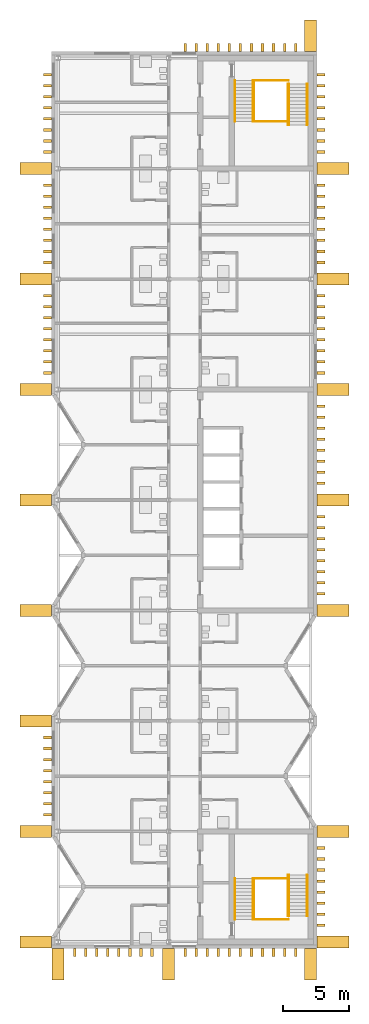
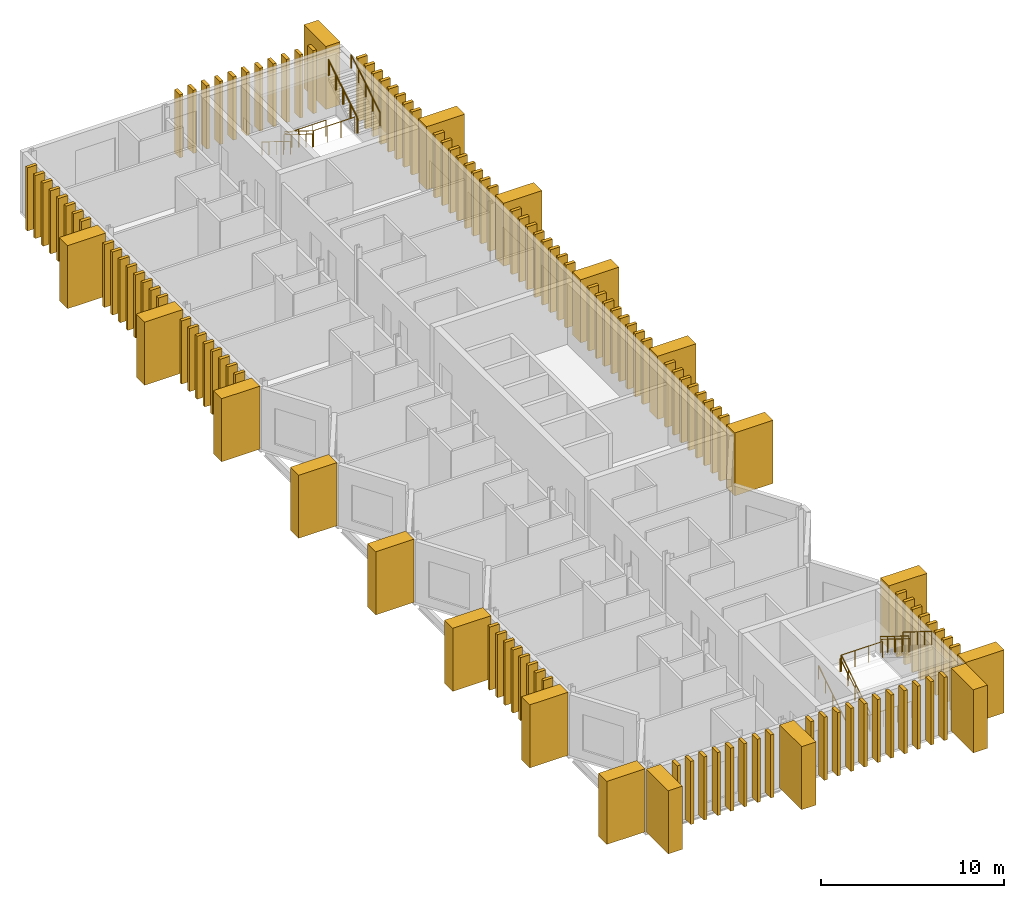
# One storey, part 10 of 11: 129 coverings, 16 railings.
"""IFC4 building model written with IfcOpenShell, lengths in metres."""

from ifc_helpers import new_model, si_unit, direction, frame, origin, origin_2d, place, context, subcontext, project, spatial, rectangle, circle, extrude, material, type_object, element, save


model = new_model("IFC4")

# Units and contexts
model_context = context("Model", 3, precision=1e-05, world=origin(), true_north=direction((0.0, 1.0)))
body_context = subcontext(model_context, "Body", "Model", "MODEL_VIEW")
ifc_project = project(units=[si_unit("LENGTHUNIT", "METRE"), si_unit("AREAUNIT", "SQUARE_METRE"), si_unit("VOLUMEUNIT", "CUBIC_METRE"), si_unit("PLANEANGLEUNIT", "RADIAN"), si_unit("MASSUNIT", "GRAM", prefix="KILO")], contexts=[model_context])

# Site, building, storey
site_placement = place(None, origin())
site = spatial("IfcSite", under=ifc_project, at=site_placement, CompositionType="ELEMENT")
building_placement = place(site_placement, origin())
building = spatial("IfcBuilding", under=site, at=building_placement, Name="Cresset Court Congress Hotel", CompositionType="ELEMENT")
storey_placement = place(building_placement, frame((0.0, 0.0, 52.199951171875)))
storey = spatial("IfcBuildingStorey", under=building, at=storey_placement, Name="L12", CompositionType="ELEMENT", Elevation=52.199951171875)

# Coverings
ifc_material_1 = material(Name="Precast concrete C50", Category="concrete")
covering_type_1 = type_object("IfcCoveringType", Name="Precast stone fin 200x600", PredefinedType="CLADDING", material=ifc_material_1)
for number, where, z_axis, x_axis, name in (
    (1, (177.199951171875, 1.260009765625, 0.0), (0.0, 0.0, 1.0), (1.0, 0.0, 0.0), "Fin E002"),
    (2, (177.199951171875, 2.10009765625, 0.0), (0.0, 0.0, 1.0), (1.0, 0.0, 0.0), "Fin E003"),
    (3, (177.199951171875, 2.93994140625, 0.0), (0.0, 0.0, 1.0), (1.0, 0.0, 0.0), "Fin E004"),
    (4, (177.199951171875, 3.780029296875, 0.0), (0.0, 0.0, 1.0), (1.0, 0.0, 0.0), "Fin E005"),
    (5, (177.199951171875, 4.6201171875, 0.0), (0.0, 0.0, 1.0), (1.0, 0.0, 0.0), "Fin E006"),
    (6, (177.199951171875, 5.4599609375, 0.0), (0.0, 0.0, 1.0), (1.0, 0.0, 0.0), "Fin E007"),
    (7, (177.199951171875, 6.300048828125, 0.0), (0.0, 0.0, 1.0), (1.0, 0.0, 0.0), "Fin E008"),
    (8, (177.199951171875, 7.139892578125, 0.0), (0.0, 0.0, 1.0), (1.0, 0.0, 0.0), "Fin E009"),
    (9, (177.199951171875, 26.4599609375, 0.0), (0.0, 0.0, 1.0), (1.0, 0.0, 0.0), "Fin E032"),
    (10, (177.199951171875, 27.300048828125, 0.0), (0.0, 0.0, 1.0), (1.0, 0.0, 0.0), "Fin E033"),
    (11, (177.199951171875, 28.139892578125, 0.0), (0.0, 0.0, 1.0), (1.0, 0.0, 0.0), "Fin E034"),
    (12, (177.199951171875, 28.97998046875, 0.0), (0.0, 0.0, 1.0), (1.0, 0.0, 0.0), "Fin E035"),
    (13, (177.199951171875, 29.820068359375, 0.0), (0.0, 0.0, 1.0), (1.0, 0.0, 0.0), "Fin E036"),
    (14, (177.199951171875, 30.659912109375, 0.0), (0.0, 0.0, 1.0), (1.0, 0.0, 0.0), "Fin E037"),
    (15, (177.199951171875, 31.5, 0.0), (0.0, 0.0, 1.0), (1.0, 0.0, 0.0), "Fin E038"),
    (16, (177.199951171875, 32.340087890625, 0.0), (0.0, 0.0, 1.0), (1.0, 0.0, 0.0), "Fin E039"),
    (17, (177.199951171875, 34.860107421875, 0.0), (0.0, 0.0, 1.0), (1.0, 0.0, 0.0), "Fin E042"),
    (18, (177.199951171875, 35.699951171875, 0.0), (0.0, 0.0, 1.0), (1.0, 0.0, 0.0), "Fin E043"),
    (19, (177.199951171875, 36.5400390625, 0.0), (0.0, 0.0, 1.0), (1.0, 0.0, 0.0), "Fin E044"),
    (20, (177.199951171875, 37.3798828125, 0.0), (0.0, 0.0, 1.0), (1.0, 0.0, 0.0), "Fin E045"),
    (21, (177.199951171875, 38.219970703125, 0.0), (0.0, 0.0, 1.0), (1.0, 0.0, 0.0), "Fin E046"),
    (22, (177.199951171875, 39.06005859375, 0.0), (0.0, 0.0, 1.0), (1.0, 0.0, 0.0), "Fin E047"),
    (23, (177.199951171875, 39.89990234375, 0.0), (0.0, 0.0, 1.0), (1.0, 0.0, 0.0), "Fin E048"),
    (24, (177.199951171875, 40.739990234375, 0.0), (0.0, 0.0, 1.0), (1.0, 0.0, 0.0), "Fin E049"),
    (25, (177.199951171875, 43.260009765625, 0.0), (0.0, 0.0, 1.0), (1.0, 0.0, 0.0), "Fin E052"),
    (26, (177.199951171875, 44.10009765625, 0.0), (0.0, 0.0, 1.0), (1.0, 0.0, 0.0), "Fin E053"),
    (27, (177.199951171875, 44.93994140625, 0.0), (0.0, 0.0, 1.0), (1.0, 0.0, 0.0), "Fin E054"),
    (28, (177.199951171875, 45.780029296875, 0.0), (0.0, 0.0, 1.0), (1.0, 0.0, 0.0), "Fin E055"),
    (29, (177.199951171875, 46.6201171875, 0.0), (0.0, 0.0, 1.0), (1.0, 0.0, 0.0), "Fin E056"),
    (30, (177.199951171875, 47.4599609375, 0.0), (0.0, 0.0, 1.0), (1.0, 0.0, 0.0), "Fin E057"),
    (31, (177.199951171875, 48.300048828125, 0.0), (0.0, 0.0, 1.0), (1.0, 0.0, 0.0), "Fin E058"),
    (32, (177.199951171875, 49.139892578125, 0.0), (0.0, 0.0, 1.0), (1.0, 0.0, 0.0), "Fin E059"),
    (33, (177.199951171875, 51.659912109375, 0.0), (0.0, 0.0, 1.0), (1.0, 0.0, 0.0), "Fin E062"),
    (34, (177.199951171875, 52.5, 0.0), (0.0, 0.0, 1.0), (1.0, 0.0, 0.0), "Fin E063"),
    (35, (177.199951171875, 53.340087890625, 0.0), (0.0, 0.0, 1.0), (1.0, 0.0, 0.0), "Fin E064"),
    (36, (177.199951171875, 54.179931640625, 0.0), (0.0, 0.0, 1.0), (1.0, 0.0, 0.0), "Fin E065"),
    (37, (177.199951171875, 55.02001953125, 0.0), (0.0, 0.0, 1.0), (1.0, 0.0, 0.0), "Fin E066"),
    (38, (177.199951171875, 55.860107421875, 0.0), (0.0, 0.0, 1.0), (1.0, 0.0, 0.0), "Fin E067"),
    (39, (177.199951171875, 56.699951171875, 0.0), (0.0, 0.0, 1.0), (1.0, 0.0, 0.0), "Fin E068"),
    (40, (177.199951171875, 57.5400390625, 0.0), (0.0, 0.0, 1.0), (1.0, 0.0, 0.0), "Fin E069"),
    (41, (177.199951171875, 60.06005859375, 0.0), (0.0, 0.0, 1.0), (1.0, 0.0, 0.0), "Fin E072"),
    (42, (177.199951171875, 60.89990234375, 0.0), (0.0, 0.0, 1.0), (1.0, 0.0, 0.0), "Fin E073"),
    (43, (177.199951171875, 61.739990234375, 0.0), (0.0, 0.0, 1.0), (1.0, 0.0, 0.0), "Fin E074"),
    (44, (177.199951171875, 62.580078125, 0.0), (0.0, 0.0, 1.0), (1.0, 0.0, 0.0), "Fin E075"),
    (45, (177.199951171875, 63.419921875, 0.0), (0.0, 0.0, 1.0), (1.0, 0.0, 0.0), "Fin E076"),
    (46, (177.199951171875, 64.260009765625, 0.0), (0.0, 0.0, 1.0), (1.0, 0.0, 0.0), "Fin E077"),
    (47, (177.199951171875, 65.10009765625, 0.0), (0.0, 0.0, 1.0), (1.0, 0.0, 0.0), "Fin E078"),
    (48, (177.199951171875, 65.93994140625, 0.0), (0.0, 0.0, 1.0), (1.0, 0.0, 0.0), "Fin E079"),
    (49, (156.39990234375, 9.659912109375, 0.0), (0.0, 0.0, 1.0), (1.0, 0.0, 0.0), "Fin W012"),
    (50, (156.39990234375, 10.5, 0.0), (0.0, 0.0, 1.0), (1.0, 0.0, 0.0), "Fin W013"),
    (51, (156.39990234375, 11.340087890625, 0.0), (0.0, 0.0, 1.0), (1.0, 0.0, 0.0), "Fin W014"),
    (52, (156.39990234375, 12.179931640625, 0.0), (0.0, 0.0, 1.0), (1.0, 0.0, 0.0), "Fin W015"),
    (53, (156.39990234375, 13.02001953125, 0.0), (0.0, 0.0, 1.0), (1.0, 0.0, 0.0), "Fin W016"),
    (54, (156.39990234375, 13.860107421875, 0.0), (0.0, 0.0, 1.0), (1.0, 0.0, 0.0), "Fin W017"),
    (55, (156.39990234375, 14.699951171875, 0.0), (0.0, 0.0, 1.0), (1.0, 0.0, 0.0), "Fin W018"),
    (56, (156.39990234375, 15.5400390625, 0.0), (0.0, 0.0, 1.0), (1.0, 0.0, 0.0), "Fin W019"),
    (57, (156.39990234375, 43.260009765625, 0.0), (0.0, 0.0, 1.0), (1.0, 0.0, 0.0), "Fin W052"),
    (58, (156.39990234375, 44.10009765625, 0.0), (0.0, 0.0, 1.0), (1.0, 0.0, 0.0), "Fin W053"),
    (59, (156.39990234375, 44.93994140625, 0.0), (0.0, 0.0, 1.0), (1.0, 0.0, 0.0), "Fin W054"),
    (60, (156.39990234375, 45.780029296875, 0.0), (0.0, 0.0, 1.0), (1.0, 0.0, 0.0), "Fin W055"),
    (61, (156.39990234375, 46.6201171875, 0.0), (0.0, 0.0, 1.0), (1.0, 0.0, 0.0), "Fin W056"),
    (62, (156.39990234375, 47.4599609375, 0.0), (0.0, 0.0, 1.0), (1.0, 0.0, 0.0), "Fin W057"),
    (63, (156.39990234375, 48.300048828125, 0.0), (0.0, 0.0, 1.0), (1.0, 0.0, 0.0), "Fin W058"),
    (64, (156.39990234375, 49.139892578125, 0.0), (0.0, 0.0, 1.0), (1.0, 0.0, 0.0), "Fin W059"),
    (65, (156.39990234375, 51.659912109375, 0.0), (0.0, 0.0, 1.0), (1.0, 0.0, 0.0), "Fin W062"),
    (66, (156.39990234375, 52.5, 0.0), (0.0, 0.0, 1.0), (1.0, 0.0, 0.0), "Fin W063"),
    (67, (156.39990234375, 53.340087890625, 0.0), (0.0, 0.0, 1.0), (1.0, 0.0, 0.0), "Fin W064"),
    (68, (156.39990234375, 54.179931640625, 0.0), (0.0, 0.0, 1.0), (1.0, 0.0, 0.0), "Fin W065"),
    (69, (156.39990234375, 55.02001953125, 0.0), (0.0, 0.0, 1.0), (1.0, 0.0, 0.0), "Fin W066"),
    (70, (156.39990234375, 55.860107421875, 0.0), (0.0, 0.0, 1.0), (1.0, 0.0, 0.0), "Fin W067"),
    (71, (156.39990234375, 56.699951171875, 0.0), (0.0, 0.0, 1.0), (1.0, 0.0, 0.0), "Fin W068"),
    (72, (156.39990234375, 57.5400390625, 0.0), (0.0, 0.0, 1.0), (1.0, 0.0, 0.0), "Fin W069"),
    (73, (156.39990234375, 60.06005859375, 0.0), (0.0, 0.0, 1.0), (1.0, 0.0, 0.0), "Fin W072"),
    (74, (156.39990234375, 60.89990234375, 0.0), (0.0, 0.0, 1.0), (1.0, 0.0, 0.0), "Fin W073"),
    (75, (156.39990234375, 61.739990234375, 0.0), (0.0, 0.0, 1.0), (1.0, 0.0, 0.0), "Fin W074"),
    (76, (156.39990234375, 62.580078125, 0.0), (0.0, 0.0, 1.0), (1.0, 0.0, 0.0), "Fin W075"),
    (77, (156.39990234375, 63.419921875, 0.0), (0.0, 0.0, 1.0), (1.0, 0.0, 0.0), "Fin W076"),
    (78, (156.39990234375, 64.260009765625, 0.0), (0.0, 0.0, 1.0), (1.0, 0.0, 0.0), "Fin W077"),
    (79, (156.39990234375, 65.10009765625, 0.0), (0.0, 0.0, 1.0), (1.0, 0.0, 0.0), "Fin W078"),
    (80, (156.39990234375, 65.93994140625, 0.0), (0.0, 0.0, 1.0), (1.0, 0.0, 0.0), "Fin W079"),
):
    element("IfcCovering", number, at=place(storey_placement, frame(where, z_axis=z_axis, x_axis=x_axis)), inside=storey, type_object=covering_type_1, Name=name, PredefinedType="CLADDING", context=body_context, shape_type="SweptSolid", body=[
        extrude(rectangle(XDim=0.60009765625, YDim=0.199951171875, at=origin_2d()), origin(), (0.0, 0.0, 1.0), 4.199951171875),
    ])
for number, where, z_axis, x_axis, name in (
    (81, (158.4599609375, -0.800048828125, 0.0), (0.0, 0.0, 1.0), (1.0, 0.0, 0.0), "Fin S002"),
    (82, (159.300048828125, -0.800048828125, 0.0), (0.0, 0.0, 1.0), (1.0, 0.0, 0.0), "Fin S003"),
    (83, (160.139892578125, -0.800048828125, 0.0), (0.0, 0.0, 1.0), (1.0, 0.0, 0.0), "Fin S004"),
    (84, (160.97998046875, -0.800048828125, 0.0), (0.0, 0.0, 1.0), (1.0, 0.0, 0.0), "Fin S005"),
    (85, (161.820068359375, -0.800048828125, 0.0), (0.0, 0.0, 1.0), (1.0, 0.0, 0.0), "Fin S006"),
    (86, (162.659912109375, -0.800048828125, 0.0), (0.0, 0.0, 1.0), (1.0, 0.0, 0.0), "Fin S007"),
    (87, (163.5, -0.800048828125, 0.0), (0.0, 0.0, 1.0), (1.0, 0.0, 0.0), "Fin S008"),
    (88, (164.340087890625, -0.800048828125, 0.0), (0.0, 0.0, 1.0), (1.0, 0.0, 0.0), "Fin S009"),
    (89, (166.860107421875, -0.800048828125, 0.0), (0.0, 0.0, 1.0), (1.0, 0.0, 0.0), "Fin S012"),
    (90, (167.699951171875, -0.800048828125, 0.0), (0.0, 0.0, 1.0), (1.0, 0.0, 0.0), "Fin S013"),
    (91, (168.5400390625, -0.800048828125, 0.0), (0.0, 0.0, 1.0), (1.0, 0.0, 0.0), "Fin S014"),
    (92, (169.3798828125, -0.800048828125, 0.0), (0.0, 0.0, 1.0), (1.0, 0.0, 0.0), "Fin S015"),
    (93, (170.219970703125, -0.800048828125, 0.0), (0.0, 0.0, 1.0), (1.0, 0.0, 0.0), "Fin S016"),
    (94, (171.06005859375, -0.800048828125, 0.0), (0.0, 0.0, 1.0), (1.0, 0.0, 0.0), "Fin S017"),
    (95, (171.89990234375, -0.800048828125, 0.0), (0.0, 0.0, 1.0), (1.0, 0.0, 0.0), "Fin S018"),
    (96, (172.739990234375, -0.800048828125, 0.0), (0.0, 0.0, 1.0), (1.0, 0.0, 0.0), "Fin S019"),
    (97, (173.580078125, -0.800048828125, 0.0), (0.0, 0.0, 1.0), (1.0, 0.0, 0.0), "Fin S020"),
    (98, (174.419921875, -0.800048828125, 0.0), (0.0, 0.0, 1.0), (1.0, 0.0, 0.0), "Fin S021"),
    (99, (175.260009765625, -0.800048828125, 0.0), (0.0, 0.0, 1.0), (1.0, 0.0, 0.0), "Fin S022"),
    (100, (166.860107421875, 68.0, 0.0), (0.0, 0.0, 1.0), (1.0, 0.0, 0.0), "Fin N012"),
    (101, (167.699951171875, 68.0, 0.0), (0.0, 0.0, 1.0), (1.0, 0.0, 0.0), "Fin N013"),
    (102, (168.5400390625, 68.0, 0.0), (0.0, 0.0, 1.0), (1.0, 0.0, 0.0), "Fin N014"),
    (103, (169.3798828125, 68.0, 0.0), (0.0, 0.0, 1.0), (1.0, 0.0, 0.0), "Fin N015"),
    (104, (170.219970703125, 68.0, 0.0), (0.0, 0.0, 1.0), (1.0, 0.0, 0.0), "Fin N016"),
    (105, (171.06005859375, 68.0, 0.0), (0.0, 0.0, 1.0), (1.0, 0.0, 0.0), "Fin N017"),
    (106, (171.89990234375, 68.0, 0.0), (0.0, 0.0, 1.0), (1.0, 0.0, 0.0), "Fin N018"),
    (107, (172.739990234375, 68.0, 0.0), (0.0, 0.0, 1.0), (1.0, 0.0, 0.0), "Fin N019"),
    (108, (173.580078125, 68.0, 0.0), (0.0, 0.0, 1.0), (1.0, 0.0, 0.0), "Fin N020"),
    (109, (174.419921875, 68.0, 0.0), (0.0, 0.0, 1.0), (1.0, 0.0, 0.0), "Fin N021"),
    (110, (175.260009765625, 68.0, 0.0), (0.0, 0.0, 1.0), (1.0, 0.0, 0.0), "Fin N022"),
):
    element("IfcCovering", number, at=place(storey_placement, frame(where, z_axis=z_axis, x_axis=x_axis)), inside=storey, type_object=covering_type_1, Name=name, PredefinedType="CLADDING", context=body_context, shape_type="SweptSolid", body=[
        extrude(rectangle(XDim=0.199951171875, YDim=0.60009765625, at=origin_2d()), origin(), (0.0, 0.0, 1.0), 4.199951171875),
    ])
ifc_material_2 = material(Name="Precast concrete C50", Category="concrete")
covering_type_2 = type_object("IfcCoveringType", Name="Precast stone pier 900x2400", PredefinedType="CLADDING", material=ifc_material_2)
for number, where, z_axis, x_axis, name in (
    (111, (178.10009765625, 0.0, 0.0), (0.0, 0.0, 1.0), (1.0, 0.0, 0.0), "Pier E01"),
    (112, (178.10009765625, 8.39990234375, 0.0), (0.0, 0.0, 1.0), (1.0, 0.0, 0.0), "Pier E02"),
    (113, (178.10009765625, 25.199951171875, 0.0), (0.0, 0.0, 1.0), (1.0, 0.0, 0.0), "Pier E03"),
    (114, (178.10009765625, 33.60009765625, 0.0), (0.0, 0.0, 1.0), (1.0, 0.0, 0.0), "Pier E04"),
    (115, (178.10009765625, 42.0, 0.0), (0.0, 0.0, 1.0), (1.0, 0.0, 0.0), "Pier E05"),
    (116, (178.10009765625, 50.39990234375, 0.0), (0.0, 0.0, 1.0), (1.0, 0.0, 0.0), "Pier E06"),
    (117, (178.10009765625, 58.800048828125, 0.0), (0.0, 0.0, 1.0), (1.0, 0.0, 0.0), "Pier E07"),
    (118, (155.5, 0.0, 0.0), (0.0, 0.0, 1.0), (1.0, 0.0, 0.0), "Pier W01"),
    (119, (155.5, 8.39990234375, 0.0), (0.0, 0.0, 1.0), (1.0, 0.0, 0.0), "Pier W02"),
    (120, (155.5, 16.800048828125, 0.0), (0.0, 0.0, 1.0), (1.0, 0.0, 0.0), "Pier W03"),
    (121, (155.5, 25.199951171875, 0.0), (0.0, 0.0, 1.0), (1.0, 0.0, 0.0), "Pier W04"),
    (122, (155.5, 33.60009765625, 0.0), (0.0, 0.0, 1.0), (1.0, 0.0, 0.0), "Pier W05"),
    (123, (155.5, 42.0, 0.0), (0.0, 0.0, 1.0), (1.0, 0.0, 0.0), "Pier W06"),
    (124, (155.5, 50.39990234375, 0.0), (0.0, 0.0, 1.0), (1.0, 0.0, 0.0), "Pier W07"),
    (125, (155.5, 58.800048828125, 0.0), (0.0, 0.0, 1.0), (1.0, 0.0, 0.0), "Pier W08"),
):
    element("IfcCovering", number, at=place(storey_placement, frame(where, z_axis=z_axis, x_axis=x_axis)), inside=storey, type_object=covering_type_2, Name=name, PredefinedType="CLADDING", context=body_context, shape_type="SweptSolid", body=[
        extrude(rectangle(XDim=2.39990234375, YDim=0.89990234375, at=origin_2d()), origin(), (0.0, 0.0, 1.0), 4.199951171875),
    ])
for number, where, z_axis, x_axis, name in (
    (126, (157.199951171875, -1.699951171875, 0.0), (0.0, 0.0, 1.0), (1.0, 0.0, 0.0), "Pier S01"),
    (127, (165.60009765625, -1.699951171875, 0.0), (0.0, 0.0, 1.0), (1.0, 0.0, 0.0), "Pier S02"),
    (128, (176.39990234375, -1.699951171875, 0.0), (0.0, 0.0, 1.0), (1.0, 0.0, 0.0), "Pier S03"),
    (129, (176.39990234375, 68.89990234375, 0.0), (0.0, 0.0, 1.0), (1.0, 0.0, 0.0), "Pier N03"),
):
    element("IfcCovering", number, at=place(storey_placement, frame(where, z_axis=z_axis, x_axis=x_axis)), inside=storey, type_object=covering_type_2, Name=name, PredefinedType="CLADDING", context=body_context, shape_type="SweptSolid", body=[
        extrude(rectangle(XDim=0.89990234375, YDim=2.39990234375, at=origin_2d()), origin(), (0.0, 0.0, 1.0), 4.199951171875),
    ])

# Railings
ifc_material_3 = material(Name="Stainless steel", Category="steel")
railing_type_1 = type_object("IfcRailingType", Name="Stair guard 1100", PredefinedType="GUARDRAIL", material=ifc_material_3)
railing_1_placement = place(storey_placement, frame((172.10009765625, 1.699951171875, 0.16162109375)))
element("IfcRailing", 130, at=railing_1_placement, inside=storey, type_object=railing_type_1, Name="Guard A1 L12", PredefinedType="GUARDRAIL", context=body_context, shape_type="SweptSolid", body=[
    extrude(circle(Radius=0.02392578125, at=origin_2d()), frame((0.0, 0.0, 1.076171875), z_axis=(0.0, 0.849414166554, 0.527726798313), x_axis=(-1.0, 0.0, 0.0)), (0.0, 0.0, 1.0), 3.67333984375),
    extrude(circle(Radius=0.02099609375, at=origin_2d()), origin(), (0.0, 0.0, 1.0), 1.052001953125),
    extrude(circle(Radius=0.02099609375, at=origin_2d()), frame((0.0, 0.780029296875, 0.484619140625)), (0.0, 0.0, 1.0), 1.052001953125),
    extrude(circle(Radius=0.02099609375, at=origin_2d()), frame((0.0, 1.56005859375, 0.96923828125)), (0.0, 0.0, 1.0), 1.052001953125),
    extrude(circle(Radius=0.02099609375, at=origin_2d()), frame((0.0, 2.340087890625, 1.453857421875)), (0.0, 0.0, 1.0), 1.052001953125),
    extrude(circle(Radius=0.02099609375, at=origin_2d()), frame((0.0, 3.1201171875, 1.9384765625)), (0.0, 0.0, 1.0), 1.052001953125),
])
railing_2_placement = place(storey_placement, frame((174.699951171875, 5.080078125, 2.261474609375)))
element("IfcRailing", 131, at=railing_2_placement, inside=storey, type_object=railing_type_1, Name="Guard A1 L12", PredefinedType="GUARDRAIL", context=body_context, shape_type="SweptSolid", body=[
    extrude(circle(Radius=0.02392578125, at=origin_2d()), frame((0.0, 0.0, 1.076171875), z_axis=(0.0, -0.849414166554, 0.527726798313), x_axis=(1.0, 0.0, 0.0)), (0.0, 0.0, 1.0), 3.67333984375),
    extrude(circle(Radius=0.02099609375, at=origin_2d()), origin(), (0.0, 0.0, 1.0), 1.052001953125),
    extrude(circle(Radius=0.02099609375, at=origin_2d()), frame((0.0, -0.780029296875, 0.484619140625)), (0.0, 0.0, 1.0), 1.052001953125),
    extrude(circle(Radius=0.02099609375, at=origin_2d()), frame((0.0, -1.56005859375, 0.96923828125)), (0.0, 0.0, 1.0), 1.052001953125),
    extrude(circle(Radius=0.02099609375, at=origin_2d()), frame((0.0, -2.340087890625, 1.453857421875)), (0.0, 0.0, 1.0), 1.052001953125),
    extrude(circle(Radius=0.02099609375, at=origin_2d()), frame((0.0, -3.1201171875, 1.9384765625)), (0.0, 0.0, 1.0), 1.052001953125),
])
for number, where, name in (
    (132, (172.10009765625, 1.699951171875, 0.0), "Guard A1 L12"),
    (133, (172.10009765625, 4.820068359375, 2.10009765625), "Guard A1 L12"),
):
    element("IfcRailing", number, at=place(storey_placement, frame(where)), inside=storey, type_object=railing_type_1, Name=name, PredefinedType="GUARDRAIL", context=body_context, shape_type="SweptSolid", body=[
        extrude(circle(Radius=0.02392578125, at=origin_2d()), frame((0.0, 0.0, 1.076171875), z_axis=(1.0, 0.0, 0.0), x_axis=(0.0, 1.0, 0.0)), (0.0, 0.0, 1.0), 2.599853515625),
        extrude(circle(Radius=0.02099609375, at=origin_2d()), origin(), (0.0, 0.0, 1.0), 1.052001953125),
        extrude(circle(Radius=0.02099609375, at=origin_2d()), frame((0.86669921875, 0.0, 0.0)), (0.0, 0.0, 1.0), 1.052001953125),
        extrude(circle(Radius=0.02099609375, at=origin_2d()), frame((1.733154296875, 0.0, 0.0)), (0.0, 0.0, 1.0), 1.052001953125),
        extrude(circle(Radius=0.02099609375, at=origin_2d()), frame((2.599853515625, 0.0, 0.0)), (0.0, 0.0, 1.0), 1.052001953125),
    ])
railing_3_placement = place(storey_placement, frame((172.10009765625, 65.5, 0.16162109375)))
element("IfcRailing", 134, at=railing_3_placement, inside=storey, type_object=railing_type_1, Name="Guard A2 L12", PredefinedType="GUARDRAIL", context=body_context, shape_type="SweptSolid", body=[
    extrude(circle(Radius=0.02392578125, at=origin_2d()), frame((0.0, 0.0, 1.076171875), z_axis=(0.0, -0.849414166554, 0.527726798313), x_axis=(1.0, 0.0, 0.0)), (0.0, 0.0, 1.0), 3.67333984375),
    extrude(circle(Radius=0.02099609375, at=origin_2d()), origin(), (0.0, 0.0, 1.0), 1.052001953125),
    extrude(circle(Radius=0.02099609375, at=origin_2d()), frame((0.0, -0.780029296875, 0.484619140625)), (0.0, 0.0, 1.0), 1.052001953125),
    extrude(circle(Radius=0.02099609375, at=origin_2d()), frame((0.0, -1.56005859375, 0.96923828125)), (0.0, 0.0, 1.0), 1.052001953125),
    extrude(circle(Radius=0.02099609375, at=origin_2d()), frame((0.0, -2.340087890625, 1.453857421875)), (0.0, 0.0, 1.0), 1.052001953125),
    extrude(circle(Radius=0.02099609375, at=origin_2d()), frame((0.0, -3.1201171875, 1.9384765625)), (0.0, 0.0, 1.0), 1.052001953125),
])
railing_4_placement = place(storey_placement, frame((174.699951171875, 62.1201171875, 2.261474609375)))
element("IfcRailing", 135, at=railing_4_placement, inside=storey, type_object=railing_type_1, Name="Guard A2 L12", PredefinedType="GUARDRAIL", context=body_context, shape_type="SweptSolid", body=[
    extrude(circle(Radius=0.02392578125, at=origin_2d()), frame((0.0, 0.0, 1.076171875), z_axis=(0.0, 0.849395654964, 0.52775659288), x_axis=(-1.0, 0.0, 0.0)), (0.0, 0.0, 1.0), 3.673095703125),
    extrude(circle(Radius=0.02099609375, at=origin_2d()), origin(), (0.0, 0.0, 1.0), 1.052001953125),
    extrude(circle(Radius=0.02099609375, at=origin_2d()), frame((0.0, 0.780029296875, 0.484619140625)), (0.0, 0.0, 1.0), 1.052001953125),
    extrude(circle(Radius=0.02099609375, at=origin_2d()), frame((0.0, 1.56005859375, 0.96923828125)), (0.0, 0.0, 1.0), 1.052001953125),
    extrude(circle(Radius=0.02099609375, at=origin_2d()), frame((0.0, 2.33984375, 1.453857421875)), (0.0, 0.0, 1.0), 1.052001953125),
    extrude(circle(Radius=0.02099609375, at=origin_2d()), frame((0.0, 3.119873046875, 1.9384765625)), (0.0, 0.0, 1.0), 1.052001953125),
])
for number, where, name in (
    (136, (172.10009765625, 65.5, 0.0), "Guard A2 L12"),
    (137, (172.10009765625, 62.3798828125, 2.10009765625), "Guard A2 L12"),
):
    element("IfcRailing", number, at=place(storey_placement, frame(where)), inside=storey, type_object=railing_type_1, Name=name, PredefinedType="GUARDRAIL", context=body_context, shape_type="SweptSolid", body=[
        extrude(circle(Radius=0.02392578125, at=origin_2d()), frame((0.0, 0.0, 1.076171875), z_axis=(1.0, 0.0, 0.0), x_axis=(0.0, 1.0, 0.0)), (0.0, 0.0, 1.0), 2.599853515625),
        extrude(circle(Radius=0.02099609375, at=origin_2d()), origin(), (0.0, 0.0, 1.0), 1.052001953125),
        extrude(circle(Radius=0.02099609375, at=origin_2d()), frame((0.86669921875, 0.0, 0.0)), (0.0, 0.0, 1.0), 1.052001953125),
        extrude(circle(Radius=0.02099609375, at=origin_2d()), frame((1.733154296875, 0.0, 0.0)), (0.0, 0.0, 1.0), 1.052001953125),
        extrude(circle(Radius=0.02099609375, at=origin_2d()), frame((2.599853515625, 0.0, 0.0)), (0.0, 0.0, 1.0), 1.052001953125),
    ])
ifc_material_4 = material(Name="Stainless steel", Category="steel")
railing_type_2 = type_object("IfcRailingType", Name="Stair handrail 900", PredefinedType="HANDRAIL", material=ifc_material_4)
for number, where, name in (
    (138, (170.659912109375, 1.699951171875, 0.16162109375), "Handrail A1 L12"),
    (139, (172.0400390625, 1.699951171875, 0.16162109375), "Handrail A1 L12"),
):
    element("IfcRailing", number, at=place(storey_placement, frame(where)), inside=storey, type_object=railing_type_2, Name=name, PredefinedType="HANDRAIL", context=body_context, shape_type="SweptSolid", body=[
        extrude(circle(Radius=0.02392578125, at=origin_2d()), frame((0.0, 0.0, 0.8759765625), z_axis=(0.0, 0.849414166554, 0.527726798313), x_axis=(-1.0, 0.0, 0.0)), (0.0, 0.0, 1.0), 3.67333984375),
        extrude(circle(Radius=0.02099609375, at=origin_2d()), origin(), (0.0, 0.0, 1.0), 0.851806640625),
        extrude(circle(Radius=0.02099609375, at=origin_2d()), frame((0.0, 0.780029296875, 0.484619140625)), (0.0, 0.0, 1.0), 0.851806640625),
        extrude(circle(Radius=0.02099609375, at=origin_2d()), frame((0.0, 1.56005859375, 0.96923828125)), (0.0, 0.0, 1.0), 0.851806640625),
        extrude(circle(Radius=0.02099609375, at=origin_2d()), frame((0.0, 2.340087890625, 1.453857421875)), (0.0, 0.0, 1.0), 0.851806640625),
        extrude(circle(Radius=0.02099609375, at=origin_2d()), frame((0.0, 3.1201171875, 1.9384765625)), (0.0, 0.0, 1.0), 0.851806640625),
    ])
for number, where, name in (
    (140, (174.760009765625, 5.080078125, 2.261474609375), "Handrail A1 L12"),
    (141, (176.139892578125, 5.080078125, 2.261474609375), "Handrail A1 L12"),
    (142, (170.659912109375, 65.5, 0.16162109375), "Handrail A2 L12"),
    (143, (172.0400390625, 65.5, 0.16162109375), "Handrail A2 L12"),
):
    element("IfcRailing", number, at=place(storey_placement, frame(where)), inside=storey, type_object=railing_type_2, Name=name, PredefinedType="HANDRAIL", context=body_context, shape_type="SweptSolid", body=[
        extrude(circle(Radius=0.02392578125, at=origin_2d()), frame((0.0, 0.0, 0.8759765625), z_axis=(0.0, -0.849414166554, 0.527726798313), x_axis=(1.0, 0.0, 0.0)), (0.0, 0.0, 1.0), 3.67333984375),
        extrude(circle(Radius=0.02099609375, at=origin_2d()), origin(), (0.0, 0.0, 1.0), 0.851806640625),
        extrude(circle(Radius=0.02099609375, at=origin_2d()), frame((0.0, -0.780029296875, 0.484619140625)), (0.0, 0.0, 1.0), 0.851806640625),
        extrude(circle(Radius=0.02099609375, at=origin_2d()), frame((0.0, -1.56005859375, 0.96923828125)), (0.0, 0.0, 1.0), 0.851806640625),
        extrude(circle(Radius=0.02099609375, at=origin_2d()), frame((0.0, -2.340087890625, 1.453857421875)), (0.0, 0.0, 1.0), 0.851806640625),
        extrude(circle(Radius=0.02099609375, at=origin_2d()), frame((0.0, -3.1201171875, 1.9384765625)), (0.0, 0.0, 1.0), 0.851806640625),
    ])
for number, where, name in (
    (144, (174.760009765625, 62.1201171875, 2.261474609375), "Handrail A2 L12"),
    (145, (176.139892578125, 62.1201171875, 2.261474609375), "Handrail A2 L12"),
):
    element("IfcRailing", number, at=place(storey_placement, frame(where)), inside=storey, type_object=railing_type_2, Name=name, PredefinedType="HANDRAIL", context=body_context, shape_type="SweptSolid", body=[
        extrude(circle(Radius=0.02392578125, at=origin_2d()), frame((0.0, 0.0, 0.8759765625), z_axis=(0.0, 0.849395654964, 0.52775659288), x_axis=(-1.0, 0.0, 0.0)), (0.0, 0.0, 1.0), 3.673095703125),
        extrude(circle(Radius=0.02099609375, at=origin_2d()), origin(), (0.0, 0.0, 1.0), 0.851806640625),
        extrude(circle(Radius=0.02099609375, at=origin_2d()), frame((0.0, 0.780029296875, 0.484619140625)), (0.0, 0.0, 1.0), 0.851806640625),
        extrude(circle(Radius=0.02099609375, at=origin_2d()), frame((0.0, 1.56005859375, 0.96923828125)), (0.0, 0.0, 1.0), 0.851806640625),
        extrude(circle(Radius=0.02099609375, at=origin_2d()), frame((0.0, 2.33984375, 1.453857421875)), (0.0, 0.0, 1.0), 0.851806640625),
        extrude(circle(Radius=0.02099609375, at=origin_2d()), frame((0.0, 3.119873046875, 1.9384765625)), (0.0, 0.0, 1.0), 0.851806640625),
    ])

save(model, "model.ifc")
